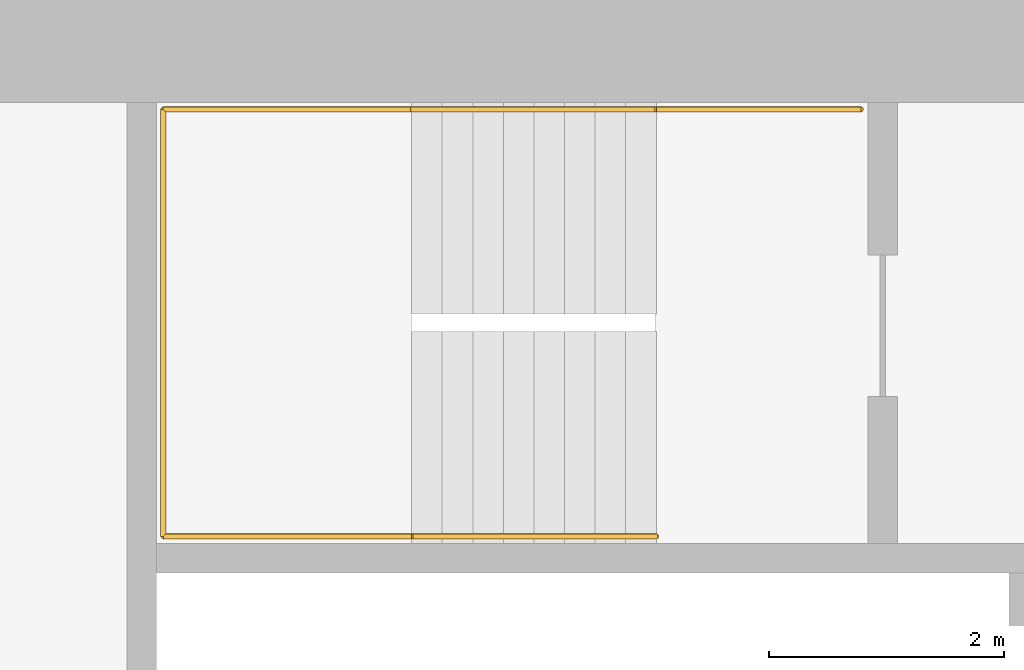
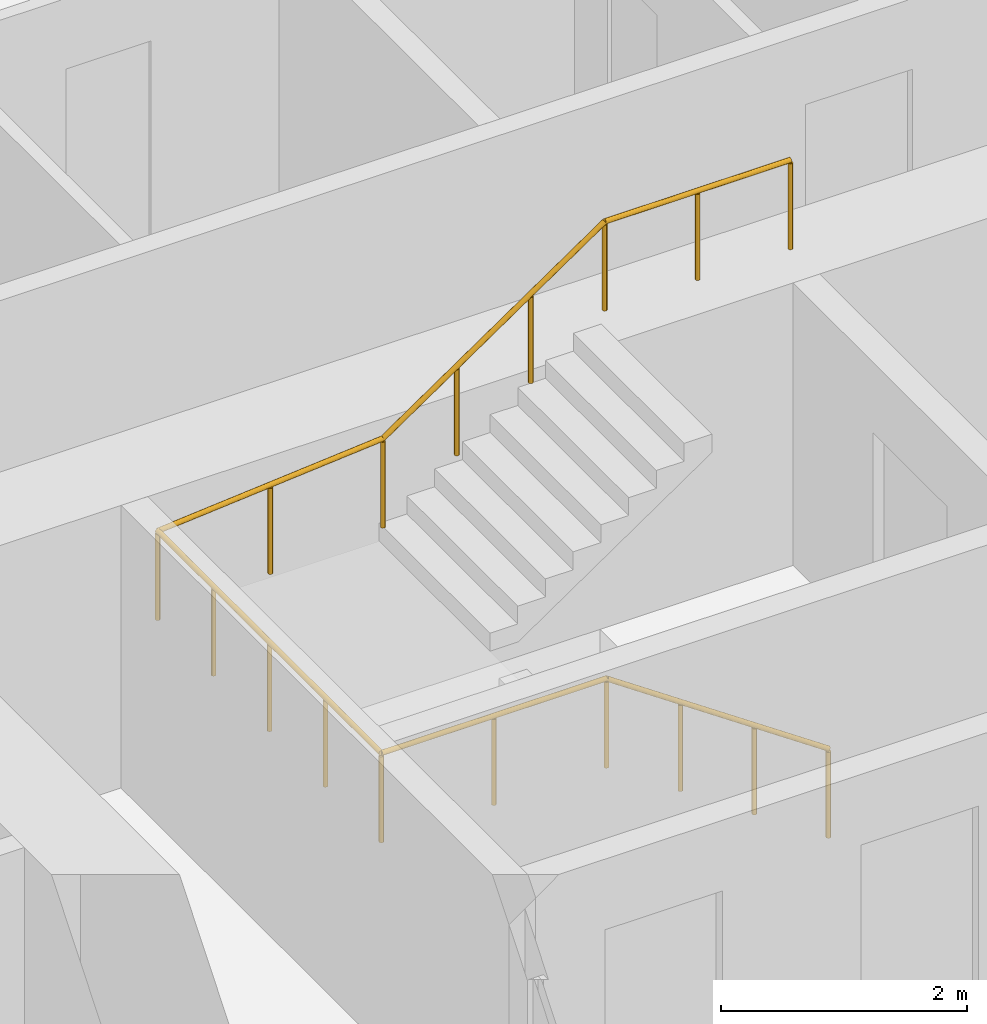
# One storey, part 30 of 36: 1 railing.
"""IFC4 building model written with IfcOpenShell, lengths in metres."""

from ifc_helpers import new_model, si_unit, direction, frame, origin, origin_2d, place, context, subcontext, project, spatial, circle, extrude, material, type_object, element, save


model = new_model("IFC4")

# Units and contexts
model_context = context("Model", 3, precision=1e-05, world=origin(), true_north=direction((0.0, 1.0)))
body_context = subcontext(model_context, "Body", "Model", "MODEL_VIEW")
ifc_project = project(units=[si_unit("LENGTHUNIT", "METRE"), si_unit("AREAUNIT", "SQUARE_METRE"), si_unit("VOLUMEUNIT", "CUBIC_METRE"), si_unit("PLANEANGLEUNIT", "RADIAN"), si_unit("MASSUNIT", "GRAM", prefix="KILO")], contexts=[model_context])

# Site, building, storey
site_placement = place(None, origin())
site = spatial("IfcSite", under=ifc_project, at=site_placement, CompositionType="ELEMENT")
building_placement = place(site_placement, origin())
building = spatial("IfcBuilding", under=site, at=building_placement, Name="Hakoniwa Tower and Hamabe Station Hall", CompositionType="ELEMENT")
storey_placement = place(building_placement, frame((0.0, 0.0, 26.199951171875)))
storey = spatial("IfcBuildingStorey", under=building, at=storey_placement, Name="L06", CompositionType="ELEMENT", Elevation=26.199951171875)

# Railing
ifc_material = material(Name="Stainless steel SUS304", Category="steel")
railing_type = type_object("IfcRailingType", Name="STAIR HANDRAIL 900", PredefinedType="HANDRAIL", material=ifc_material)
railing_placement = place(storey_placement, frame((24.39990234375, 3.81005859375, 0.177734375)))
element("IfcRailing", 1, at=railing_placement, inside=storey, type_object=railing_type, Name="Handrail ST-3 L06 1", PredefinedType="HANDRAIL", context=body_context, shape_type="SweptSolid", body=[
    extrude(circle(Radius=0.02392578125, at=origin_2d()), frame((0.0, 0.0, 0.8759765625), z_axis=(-0.825433201882, 0.0, 0.564499804456), x_axis=(0.0, -1.0, 0.0)), (0.0, 0.0, 1.0), 2.519775390625),
    extrude(circle(Radius=0.02392578125, at=origin_2d()), frame((-2.079833984375, 0.0, 2.29833984375), z_axis=(-1.0, 0.0, 0.0), x_axis=(0.0, -1.0, 0.0)), (0.0, 0.0, 1.0), 2.110107421875),
    extrude(circle(Radius=0.02392578125, at=origin_2d()), frame((-4.18994140625, 0.0, 2.29833984375), z_axis=(0.0, 1.0, 0.0), x_axis=(-1.0, 0.0, 0.0)), (0.0, 0.0, 1.0), 3.6298828125),
    extrude(circle(Radius=0.02392578125, at=origin_2d()), frame((-4.18994140625, 3.6298828125, 2.29833984375), z_axis=(0.996471417081, 0.0, 0.083932800143), x_axis=(0.0, 1.0, 0.0)), (0.0, 0.0, 1.0), 2.11767578125),
    extrude(circle(Radius=0.02392578125, at=origin_2d()), frame((-2.079833984375, 3.6298828125, 2.47607421875), z_axis=(0.825478349766, 0.0, 0.564433781827), x_axis=(0.0, 1.0, 0.0)), (0.0, 0.0, 1.0), 2.51953125),
    extrude(circle(Radius=0.02392578125, at=origin_2d()), frame((0.0, 3.6298828125, 3.89794921875), z_axis=(1.0, 0.0, 0.0), x_axis=(0.0, 1.0, 0.0)), (0.0, 0.0, 1.0), 1.739990234375),
    extrude(circle(Radius=0.02099609375, at=origin_2d()), origin(), (0.0, 0.0, 1.0), 0.851806640625),
    extrude(circle(Radius=0.02099609375, at=origin_2d()), frame((-0.693359375, 0.0, 0.47412109375)), (0.0, 0.0, 1.0), 0.851806640625),
    extrude(circle(Radius=0.02099609375, at=origin_2d()), frame((-1.386474609375, 0.0, 0.9482421875)), (0.0, 0.0, 1.0), 0.851806640625),
    extrude(circle(Radius=0.02099609375, at=origin_2d()), frame((-2.079833984375, 0.0, 1.42236328125)), (0.0, 0.0, 1.0), 0.851806640625),
    extrude(circle(Radius=0.02099609375, at=origin_2d()), frame((-3.134765625, 0.0, 1.42236328125)), (0.0, 0.0, 1.0), 0.851806640625),
    extrude(circle(Radius=0.02099609375, at=origin_2d()), frame((-4.18994140625, 0.0, 1.42236328125)), (0.0, 0.0, 1.0), 0.851806640625),
    extrude(circle(Radius=0.02099609375, at=origin_2d()), frame((-4.18994140625, 0.907470703125, 1.42236328125)), (0.0, 0.0, 1.0), 0.851806640625),
    extrude(circle(Radius=0.02099609375, at=origin_2d()), frame((-4.18994140625, 1.81494140625, 1.42236328125)), (0.0, 0.0, 1.0), 0.851806640625),
    extrude(circle(Radius=0.02099609375, at=origin_2d()), frame((-4.18994140625, 2.722412109375, 1.42236328125)), (0.0, 0.0, 1.0), 0.851806640625),
    extrude(circle(Radius=0.02099609375, at=origin_2d()), frame((-4.18994140625, 3.6298828125, 1.42236328125)), (0.0, 0.0, 1.0), 0.851806640625),
    extrude(circle(Radius=0.02099609375, at=origin_2d()), frame((-3.134765625, 3.6298828125, 1.51123046875)), (0.0, 0.0, 1.0), 0.851806640625),
    extrude(circle(Radius=0.02099609375, at=origin_2d()), frame((-2.079833984375, 3.6298828125, 1.60009765625)), (0.0, 0.0, 1.0), 0.851806640625),
    extrude(circle(Radius=0.02099609375, at=origin_2d()), frame((-1.386474609375, 3.6298828125, 2.07421875)), (0.0, 0.0, 1.0), 0.851806640625),
    extrude(circle(Radius=0.02099609375, at=origin_2d()), frame((-0.693359375, 3.6298828125, 2.548095703125)), (0.0, 0.0, 1.0), 0.851806640625),
    extrude(circle(Radius=0.02099609375, at=origin_2d()), frame((0.0, 3.6298828125, 3.022216796875)), (0.0, 0.0, 1.0), 0.851806640625),
    extrude(circle(Radius=0.02099609375, at=origin_2d()), frame((0.8701171875, 3.6298828125, 3.022216796875)), (0.0, 0.0, 1.0), 0.851806640625),
    extrude(circle(Radius=0.02099609375, at=origin_2d()), frame((1.739990234375, 3.6298828125, 3.022216796875)), (0.0, 0.0, 1.0), 0.851806640625),
])

save(model, "model.ifc")
